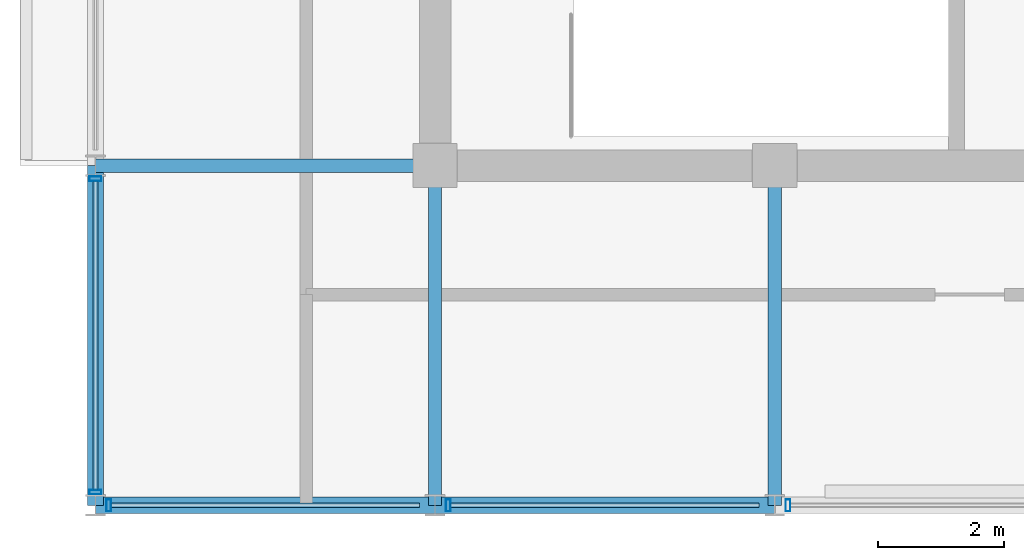
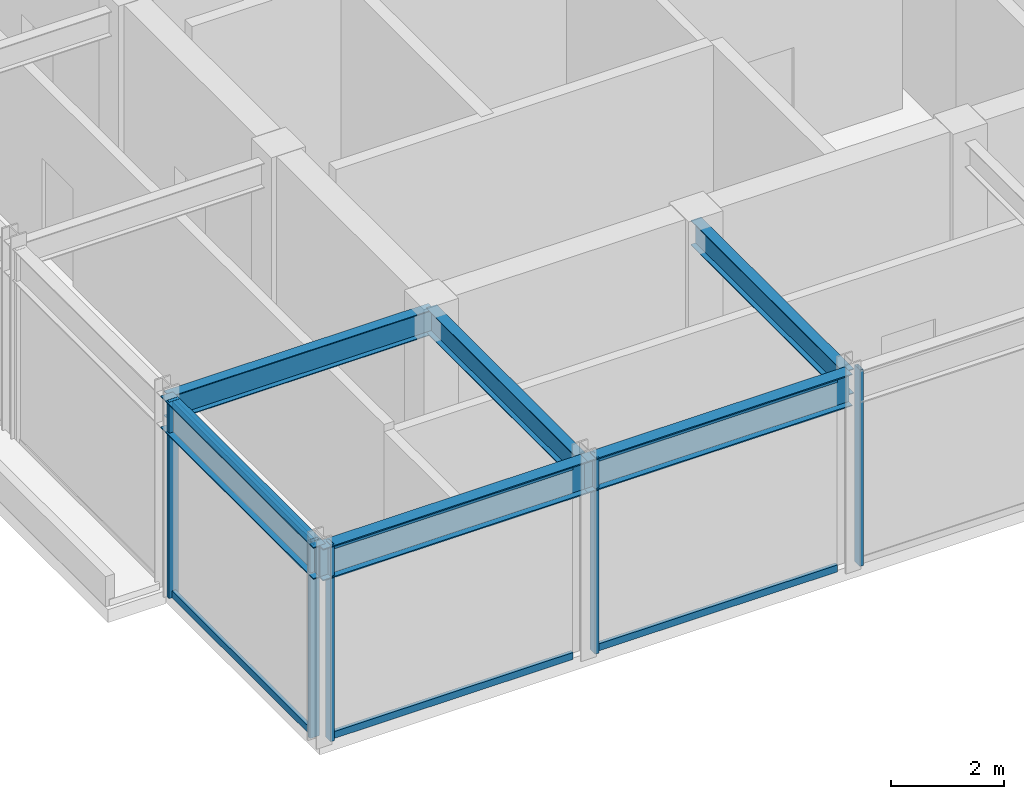
# One storey, part 2 of 18: 11 members, 6 beams, 2 elements without a shape of their own.
"""IFC4 building model written with IfcOpenShell, lengths in metres."""

import ifcopenshell
import ifcopenshell.guid

model = None  # the IFC model being written
_history = None  # IfcOwnerHistory: only IFC2X3 demands one
_inside = {}  # id of a spatial element -> (the spatial element, [elements in it])
_under = {}  # id of a project, library or spatial element -> (it, [spatial elements below it])
_declared = {}  # id of a project -> (the project, [libraries it declares])
_typed = {}  # id of a type object -> (the type object, [elements of that type])
_made_of = {}  # id of a material, layer set ... -> (it, [elements and type objects made of it])


def new_model(schema):
    """Start an empty IFC model of exactly this schema.

    Asked for "IFC4X3", IfcOpenShell would pick the latest addendum, in which some entities
    have other attributes; the version numbers below select the first issue.
    IFC2X3 requires an IfcOwnerHistory on every rooted entity: one is made here for all.
    """
    global model, _history
    if schema == "IFC4X3":
        model = ifcopenshell.file(schema_version=(4, 3, 0, 0))
    else:
        model = ifcopenshell.file(schema=schema)
    _inside.clear()
    _under.clear()
    _declared.clear()
    _typed.clear()
    _made_of.clear()
    _history = None
    if model.schema == "IFC2X3":
        org = make("IfcOrganization", Name="unknown")
        user = make(
            "IfcPersonAndOrganization",
            ThePerson=make("IfcPerson", FamilyName="unknown"),
            TheOrganization=org,
        )
        app = make(
            "IfcApplication",
            ApplicationDeveloper=org,
            Version="unknown",
            ApplicationFullName="unknown",
            ApplicationIdentifier="unknown",
        )
        _history = make(
            "IfcOwnerHistory",
            OwningUser=user,
            OwningApplication=app,
            ChangeAction="ADDED",
            CreationDate=0,
        )
    return model


def make(cls, **values):
    """One entity of the class cls with the attributes given. An attribute that is None is left unset."""
    return model.create_entity(
        cls, **{name: value for name, value in values.items() if value is not None}
    )


def rooted(cls, **values):
    """An entity with a GlobalId (a new one), such as an element, a storey or a relation."""
    return make(cls, GlobalId=ifcopenshell.guid.new(), OwnerHistory=_history, **values)


def si_unit(unit_type, name, prefix=None):
    """IfcSIUnit, for example si_unit("LENGTHUNIT", "METRE", prefix="MILLI")."""
    return make("IfcSIUnit", UnitType=unit_type, Prefix=prefix, Name=name)


def assignment(units):
    """IfcUnitAssignment: the units of a project."""
    return None if units is None else make("IfcUnitAssignment", Units=units)


def point(xyz):
    """IfcCartesianPoint."""
    return None if xyz is None else make("IfcCartesianPoint", Coordinates=xyz)


def direction(xyz):
    """IfcDirection."""
    return None if xyz is None else make("IfcDirection", DirectionRatios=xyz)


def frame(location, z_axis=None, x_axis=None):
    """IfcAxis2Placement3D, a coordinate frame: its origin and axes. An axis left out is left unset."""
    return make(
        "IfcAxis2Placement3D",
        Location=point(location),
        Axis=direction(z_axis),
        RefDirection=direction(x_axis),
    )


def frame_2d(location, x_axis=None):
    """IfcAxis2Placement2D, a coordinate frame in the plane: its origin and x axis."""
    return make(
        "IfcAxis2Placement2D", Location=point(location), RefDirection=direction(x_axis)
    )


def origin():
    """The frame at (0, 0, 0) with its axes left unset."""
    return frame((0.0, 0.0, 0.0))


def origin_2d():
    """The frame at (0, 0) in the plane with its x axis left unset."""
    return frame_2d((0.0, 0.0))


def place(relative_to, where):
    """IfcLocalPlacement: puts the frame where relative to a parent placement (None: the world)."""
    return make(
        "IfcLocalPlacement", PlacementRelTo=relative_to, RelativePlacement=where
    )


def context(
    kind, dimensions, precision=None, world=None, true_north=None, identifier=None
):
    """IfcGeometricRepresentationContext, for example the 3D "Model" context."""
    return make(
        "IfcGeometricRepresentationContext",
        ContextIdentifier=identifier,
        ContextType=kind,
        CoordinateSpaceDimension=dimensions,
        Precision=precision,
        WorldCoordinateSystem=world,
        TrueNorth=true_north,
    )


def subcontext(parent, identifier, kind, view, scale=None):
    """IfcGeometricRepresentationSubContext, for example "Body" below "Model"."""
    return make(
        "IfcGeometricRepresentationSubContext",
        ContextIdentifier=identifier,
        ContextType=kind,
        ParentContext=parent,
        TargetScale=scale,
        TargetView=view,
    )


def project(units=None, contexts=None):
    """IfcProject with its units and contexts."""
    return rooted(
        "IfcProject",
        Name="project",
        RepresentationContexts=contexts,
        UnitsInContext=assignment(units),
    )


def spatial(cls, under=None, at=None, **own):
    """A site, building, storey or space (cls), placed at a placement, below another one or the project."""
    s = rooted(cls, ObjectPlacement=at, **own)
    if under is not None:
        _under.setdefault(under.id(), (under, []))[1].append(s)
    return s


def profile(cls, at=None, kind="AREA", **sizes):
    """A parametric profile (cls). Its sizes go by their IFC names, for example OverallWidth=200.0."""
    return make(cls, ProfileType=kind, Position=at, **sizes)


def hollow_rectangle(**sizes):
    """IfcRectangleHollowProfileDef."""
    return profile("IfcRectangleHollowProfileDef", **sizes)


def i_section(**sizes):
    """IfcIShapeProfileDef."""
    return profile("IfcIShapeProfileDef", **sizes)


def extrude(swept, where, along, depth):
    """IfcExtrudedAreaSolid: the profile swept, set in the frame where, extruded along a direction by depth."""
    return make(
        "IfcExtrudedAreaSolid",
        SweptArea=swept,
        Position=where,
        ExtrudedDirection=direction(along),
        Depth=depth,
    )


def shape(context_of_items, identifier, shape_type, items):
    """IfcShapeRepresentation: the items that make up one representation, for example the "Body"."""
    return make(
        "IfcShapeRepresentation",
        ContextOfItems=context_of_items,
        RepresentationIdentifier=identifier,
        RepresentationType=shape_type,
        Items=items,
    )


def material(Name=None, Category=None):
    """IfcMaterial."""
    return make("IfcMaterial", Name=Name, Category=Category)


def layer(
    of_material, thickness, ventilated=None, Name=None, Category=None, Priority=None
):
    """IfcMaterialLayer: one layer of a wall or slab, of a material (None: an air gap)."""
    return make(
        "IfcMaterialLayer",
        Material=of_material,
        LayerThickness=thickness,
        IsVentilated=ventilated,
        Name=Name,
        Category=Category,
        Priority=Priority,
    )


def layer_set(layers, Name=None):
    """IfcMaterialLayerSet."""
    return make("IfcMaterialLayerSet", MaterialLayers=layers, LayerSetName=Name)


def material_profile(
    of_material, cross_section, Name=None, Category=None, Priority=None
):
    """IfcMaterialProfile: a cross section and its material."""
    return make(
        "IfcMaterialProfile",
        Name=Name,
        Material=of_material,
        Profile=cross_section,
        Priority=Priority,
        Category=Category,
    )


def profile_set(profiles, Name=None, composite=None):
    """IfcMaterialProfileSet."""
    return make(
        "IfcMaterialProfileSet",
        Name=Name,
        MaterialProfiles=profiles,
        CompositeProfile=composite,
    )


def made_of(thing, what):
    """Note that an element or type object is made of a material, layer set ...; save() writes the relation."""
    if what is not None:
        _made_of.setdefault(what.id(), (what, []))[1].append(thing)
    return thing


def type_object(cls, material=None, **own):
    """A type object (cls), such as IfcWallType, which elements share."""
    return made_of(rooted(cls, **own), material)


def element(
    cls,
    number,
    at=None,
    inside=None,
    cuts=None,
    type_object=None,
    material=None,
    context=None,
    identifier="Body",
    shape_type=None,
    held_by="IfcProductDefinitionShape",
    body=None,
    shapes=None,
    **own,
):
    """One element of the class cls, such as IfcWall. Its Tag is "e" and its number.

    at: its placement. inside: the storey or other place that contains it. cuts: it is an
    opening in that element (IfcRelVoidsElement). A single representation is given by context,
    identifier, shape_type and body (its items); several are given by shapes. held_by: the class
    of the entity that holds the representations. save() writes the other relations.
    """
    e = rooted(cls, Tag="e%d" % number, ObjectPlacement=at, **own)
    if body is not None:
        shapes = [shape(context, identifier, shape_type, body)]
    if shapes is not None:
        e.Representation = make(held_by, Representations=shapes)
    if inside is not None:
        _inside.setdefault(inside.id(), (inside, []))[1].append(e)
    if cuts is not None:
        rooted(
            "IfcRelVoidsElement", RelatingBuildingElement=cuts, RelatedOpeningElement=e
        )
    if type_object is not None:
        _typed.setdefault(type_object.id(), (type_object, []))[1].append(e)
    return made_of(e, material)


def aggregate(whole, parts):
    """IfcRelAggregates: a whole, such as a stair, and the parts it consists of."""
    return rooted("IfcRelAggregates", RelatingObject=whole, RelatedObjects=parts)


def save(model, path):
    """Write the relations noted so far, then the file.

    IfcRelAggregates (storeys below a building ...), IfcRelContainedInSpatialStructure (elements
    in a storey), IfcRelDefinesByType, IfcRelAssociatesMaterial and IfcRelDeclares: one each for
    every whole, place, type object, material and project.
    """
    for whole, parts in _under.values():
        aggregate(whole, parts)
    for where, things in _inside.values():
        rooted(
            "IfcRelContainedInSpatialStructure",
            RelatedElements=things,
            RelatingStructure=where,
        )
    for kind, things in _typed.values():
        rooted("IfcRelDefinesByType", RelatedObjects=things, RelatingType=kind)
    for what, things in _made_of.values():
        rooted("IfcRelAssociatesMaterial", RelatedObjects=things, RelatingMaterial=what)
    for by, libraries in _declared.values():
        rooted("IfcRelDeclares", RelatingContext=by, RelatedDefinitions=libraries)
    model.write(path)


model = new_model("IFC4")

# Units and contexts
model_context = context("Model", 3, precision=1e-05, world=origin(), true_north=direction((0.0, 1.0)))
body_context = subcontext(model_context, "Body", "Model", "MODEL_VIEW")
ifc_project = project(units=[si_unit("LENGTHUNIT", "METRE"), si_unit("AREAUNIT", "SQUARE_METRE"), si_unit("VOLUMEUNIT", "CUBIC_METRE"), si_unit("PLANEANGLEUNIT", "RADIAN"), si_unit("MASSUNIT", "GRAM", prefix="KILO")], contexts=[model_context])

# Site, building, storey
site_placement = place(None, origin())
site = spatial("IfcSite", under=ifc_project, at=site_placement, CompositionType="ELEMENT")
building_placement = place(site_placement, origin())
building = spatial("IfcBuilding", under=site, at=building_placement, Name="Surkhivell Harbour Commons", CompositionType="ELEMENT")
storey_placement = place(building_placement, frame((0.0, 0.0, 360.0)))
storey = spatial("IfcBuildingStorey", under=building, at=storey_placement, Name="L93", CompositionType="ELEMENT", Elevation=360.0)

# Beams
ifc_material_1 = material(Name="Steel S355", Category="steel")
ifc_material_profile_1 = material_profile(ifc_material_1, i_section(OverallWidth=0.2099609375, OverallDepth=0.537109375, WebThickness=0.0107421875, FlangeThickness=0.017333984375, at=origin_2d()), Name="UB533x210x101")
ifc_profile_set_1 = profile_set([ifc_material_profile_1], Name="Steel S355")
beam_type_1 = type_object("IfcBeamType", Name="BM-GRD-533B", PredefinedType="BEAM", material=ifc_profile_set_1)
for number, where, z_axis, x_axis, name in (
    (1, (-16.199951171875, -10.800048828125, 3.971435546875), (1.0, 0.0, 0.0), (0.0, 1.0, 0.0), "L93 Floor Girder (-16.2,-10.8)"),
    (2, (-10.800048828125, -16.199951171875, 3.971435546875), (0.0, 1.0, 0.0), (-1.0, 0.0, 0.0), "L93 Floor Girder (-10.8,-16.2)"),
    (3, (-5.39990234375, -16.199951171875, 3.971435546875), (0.0, 1.0, 0.0), (-1.0, 0.0, 0.0), "L93 Floor Girder (-5.4,-16.2)"),
):
    element("IfcBeam", number, at=place(storey_placement, frame(where, z_axis=z_axis, x_axis=x_axis)), inside=storey, type_object=beam_type_1, Name=name, PredefinedType="BEAM", context=body_context, shape_type="SweptSolid", body=[
        extrude(i_section(OverallWidth=0.2099609375, OverallDepth=0.537109375, WebThickness=0.0107421875, FlangeThickness=0.017333984375, at=origin_2d()), origin(), (0.0, 0.0, 1.0), 5.39990234375),
    ])
ifc_material_profile_2 = material_profile(ifc_material_1, i_section(OverallWidth=0.256103515625, OverallDepth=0.693115234375, WebThickness=0.014404296875, FlangeThickness=0.023681640625, at=origin_2d()), Name="UB686x254x170")
ifc_profile_set_2 = profile_set([ifc_material_profile_2], Name="Steel S355")
beam_type_2 = type_object("IfcBeamType", Name="BM-SPN-686", PredefinedType="SPANDREL", material=ifc_profile_set_2)
for number, where, z_axis, x_axis, name in (
    (4, (-16.199951171875, -16.199951171875, 3.8935546875), (0.0, 1.0, 0.0), (-1.0, 0.0, 0.0), "L93 Tube Spandrel (-16.2,-16.2)"),
    (5, (-16.199951171875, -16.199951171875, 3.8935546875), (1.0, 0.0, 0.0), (0.0, 1.0, 0.0), "L93 Tube Spandrel (-16.2,-16.2)"),
):
    element("IfcBeam", number, at=place(storey_placement, frame(where, z_axis=z_axis, x_axis=x_axis)), inside=storey, type_object=beam_type_2, Name=name, PredefinedType="SPANDREL", context=body_context, shape_type="SweptSolid", body=[
        extrude(i_section(OverallWidth=0.256103515625, OverallDepth=0.693115234375, WebThickness=0.014404296875, FlangeThickness=0.023681640625, at=origin_2d()), origin(), (0.0, 0.0, 1.0), 5.39990234375),
    ])
beam_placement = place(storey_placement, frame((-10.800048828125, -16.199951171875, 3.8935546875), z_axis=(1.0, 0.0, 0.0), x_axis=(0.0, 1.0, 0.0)))
element("IfcBeam", 6, at=beam_placement, inside=storey, type_object=beam_type_2, Name="L93 Tube Spandrel (-10.8,-16.2)", PredefinedType="SPANDREL", context=body_context, shape_type="SweptSolid", body=[
    extrude(i_section(OverallWidth=0.256103515625, OverallDepth=0.693115234375, WebThickness=0.014404296875, FlangeThickness=0.023681640625, at=origin_2d()), origin(), (0.0, 0.0, 1.0), 5.400146484375),
])

# Curtain wall, members
ifc_material_2 = material(Name="Anodised pale-metal aluminium and insulated glazing", Category="aluminium")
ifc_layer = layer(ifc_material_2, 0.22998046875)
ifc_layer_set = layer_set([ifc_layer], Name="Anodised pale-metal aluminium and insulated glazing")
curtain_wall_type = type_object("IfcCurtainWallType", Name="CW-SYS-CRN", PredefinedType="NOTDEFINED", material=ifc_layer_set)
curtain_wall_1_placement = place(storey_placement, origin())
curtain_wall_1 = element("IfcCurtainWall", 7, at=curtain_wall_1_placement, inside=storey, type_object=curtain_wall_type, Name="L93 Curtain Wall CW-L93-C00", PredefinedType="NOTDEFINED")
ifc_material_3 = material(Name="Anodised pale-metal aluminium alloy 6063-T6", Category="aluminium")
ifc_material_profile_3 = material_profile(ifc_material_3, hollow_rectangle(XDim=0.074951171875, YDim=0.18994140625, WallThickness=0.00390625, at=origin_2d()), Name="ALU-MULL-75x190")
ifc_profile_set_3 = profile_set([ifc_material_profile_3], Name="Anodised pale-metal aluminium alloy 6063-T6")
member_type_1 = type_object("IfcMemberType", Name="CWM-190", PredefinedType="MULLION", material=ifc_profile_set_3)
member_1_placement = place(storey_placement, frame((-15.990478515625, -16.199951171875, 0.0), z_axis=(0.0, 0.0, 1.0), x_axis=(1.0, 0.0, 0.0)))
member_1 = element("IfcMember", 8, at=member_1_placement, type_object=member_type_1, Name="CW-CRN mullion 1", PredefinedType="MULLION", context=body_context, shape_type="SweptSolid", body=[
    extrude(hollow_rectangle(XDim=0.074951171875, YDim=0.18994140625, WallThickness=0.00390625, at=origin_2d()), origin(), (0.0, 0.0, 1.0), 4.239990234375),
])
member_2_placement = place(storey_placement, frame((-10.590576171875, -16.199951171875, 0.0), z_axis=(0.0, 0.0, 1.0), x_axis=(1.0, 0.0, 0.0)))
member_2 = element("IfcMember", 9, at=member_2_placement, type_object=member_type_1, Name="CW-CRN mullion 2", PredefinedType="MULLION", context=body_context, shape_type="SweptSolid", body=[
    extrude(hollow_rectangle(XDim=0.074951171875, YDim=0.18994140625, WallThickness=0.00390625, at=origin_2d()), origin(), (0.0, 0.0, 1.0), 4.239990234375),
])
member_3_placement = place(storey_placement, frame((-5.1904296875, -16.199951171875, 0.0), z_axis=(0.0, 0.0, 1.0), x_axis=(1.0, 0.0, 0.0)))
member_3 = element("IfcMember", 10, at=member_3_placement, type_object=member_type_1, Name="CW-CRN mullion 3", PredefinedType="MULLION", context=body_context, shape_type="SweptSolid", body=[
    extrude(hollow_rectangle(XDim=0.074951171875, YDim=0.18994140625, WallThickness=0.00390625, at=origin_2d()), origin(), (0.0, 0.0, 1.0), 4.239990234375),
])

curtain_wall_2_placement = place(storey_placement, origin())
curtain_wall_2 = element("IfcCurtainWall", 11, at=curtain_wall_2_placement, inside=storey, type_object=curtain_wall_type, Name="L93 Curtain Wall CW-L93-C03S1", PredefinedType="NOTDEFINED")
member_4_placement = place(storey_placement, frame((-16.199951171875, -11.009521484375, 0.0), z_axis=(0.0, 0.0, 1.0), x_axis=(0.0, -1.0, 0.0)))
member_4 = element("IfcMember", 12, at=member_4_placement, type_object=member_type_1, Name="CW-CRN mullion 6", PredefinedType="MULLION", context=body_context, shape_type="SweptSolid", body=[
    extrude(hollow_rectangle(XDim=0.074951171875, YDim=0.18994140625, WallThickness=0.00390625, at=origin_2d()), origin(), (0.0, 0.0, 1.0), 4.239990234375),
])
member_5_placement = place(storey_placement, frame((-16.199951171875, -15.990478515625, 0.0), z_axis=(0.0, 0.0, 1.0), x_axis=(0.0, -1.0, 0.0)))
member_5 = element("IfcMember", 13, at=member_5_placement, type_object=member_type_1, Name="CW-CRN mullion 7", PredefinedType="MULLION", context=body_context, shape_type="SweptSolid", body=[
    extrude(hollow_rectangle(XDim=0.074951171875, YDim=0.18994140625, WallThickness=0.00390625, at=origin_2d()), origin(), (0.0, 0.0, 1.0), 4.239990234375),
])

# Member
ifc_material_profile_4 = material_profile(ifc_material_3, hollow_rectangle(XDim=0.074951171875, YDim=0.14990234375, WallThickness=0.00341796875, at=origin_2d()), Name="ALU-TRAN-75x150")
ifc_profile_set_4 = profile_set([ifc_material_profile_4], Name="Anodised pale-metal aluminium alloy 6063-T6")
member_type_2 = type_object("IfcMemberType", Name="CWT-150", PredefinedType="USERDEFINED", material=ifc_profile_set_4)
member_6_placement = place(storey_placement, frame((-15.952880859375, -16.199951171875, 0.074951171875), z_axis=(1.0, 0.0, 0.0), x_axis=(0.0, 1.0, 0.0)))
member_6 = element("IfcMember", 14, at=member_6_placement, type_object=member_type_2, Name="CW-CRN transom 1.1", ObjectType="TRANSOM", PredefinedType="USERDEFINED", context=body_context, shape_type="SweptSolid", body=[
    extrude(hollow_rectangle(XDim=0.074951171875, YDim=0.14990234375, WallThickness=0.00341796875, at=origin_2d()), origin(), (0.0, 0.0, 1.0), 4.90576171875),
])

member_7_placement = place(storey_placement, frame((-15.952880859375, -16.199951171875, 4.1650390625), z_axis=(1.0, 0.0, 0.0), x_axis=(0.0, 1.0, 0.0)))
member_7 = element("IfcMember", 15, at=member_7_placement, type_object=member_type_2, Name="CW-CRN transom 1.2", ObjectType="TRANSOM", PredefinedType="USERDEFINED", context=body_context, shape_type="SweptSolid", body=[
    extrude(hollow_rectangle(XDim=0.074951171875, YDim=0.14990234375, WallThickness=0.00341796875, at=origin_2d()), origin(), (0.0, 0.0, 1.0), 4.90576171875),
])

member_8_placement = place(storey_placement, frame((-10.552978515625, -16.199951171875, 0.074951171875), z_axis=(1.0, 0.0, 0.0), x_axis=(0.0, 1.0, 0.0)))
member_8 = element("IfcMember", 16, at=member_8_placement, type_object=member_type_2, Name="CW-CRN transom 2.1", ObjectType="TRANSOM", PredefinedType="USERDEFINED", context=body_context, shape_type="SweptSolid", body=[
    extrude(hollow_rectangle(XDim=0.074951171875, YDim=0.14990234375, WallThickness=0.00341796875, at=origin_2d()), origin(), (0.0, 0.0, 1.0), 4.906005859375),
])

member_9_placement = place(storey_placement, frame((-10.552978515625, -16.199951171875, 4.1650390625), z_axis=(1.0, 0.0, 0.0), x_axis=(0.0, 1.0, 0.0)))
member_9 = element("IfcMember", 17, at=member_9_placement, type_object=member_type_2, Name="CW-CRN transom 2.2", ObjectType="TRANSOM", PredefinedType="USERDEFINED", context=body_context, shape_type="SweptSolid", body=[
    extrude(hollow_rectangle(XDim=0.074951171875, YDim=0.14990234375, WallThickness=0.00341796875, at=origin_2d()), origin(), (0.0, 0.0, 1.0), 4.906005859375),
])

aggregate(curtain_wall_1, [member_1, member_6, member_7, member_2, member_8, member_9, member_3])

member_10_placement = place(storey_placement, frame((-16.199951171875, -11.047119140625, 0.074951171875), z_axis=(0.0, -1.0, 0.0), x_axis=(1.0, 0.0, 0.0)))
member_10 = element("IfcMember", 18, at=member_10_placement, type_object=member_type_2, Name="CW-CRN transom 6.1", ObjectType="TRANSOM", PredefinedType="USERDEFINED", context=body_context, shape_type="SweptSolid", body=[
    extrude(hollow_rectangle(XDim=0.074951171875, YDim=0.14990234375, WallThickness=0.00341796875, at=origin_2d()), origin(), (0.0, 0.0, 1.0), 4.90576171875),
])

member_11_placement = place(storey_placement, frame((-16.199951171875, -11.047119140625, 4.1650390625), z_axis=(0.0, -1.0, 0.0), x_axis=(1.0, 0.0, 0.0)))
member_11 = element("IfcMember", 19, at=member_11_placement, type_object=member_type_2, Name="CW-CRN transom 6.2", ObjectType="TRANSOM", PredefinedType="USERDEFINED", context=body_context, shape_type="SweptSolid", body=[
    extrude(hollow_rectangle(XDim=0.074951171875, YDim=0.14990234375, WallThickness=0.00341796875, at=origin_2d()), origin(), (0.0, 0.0, 1.0), 4.90576171875),
])

aggregate(curtain_wall_2, [member_4, member_5, member_10, member_11])

save(model, "model.ifc")
